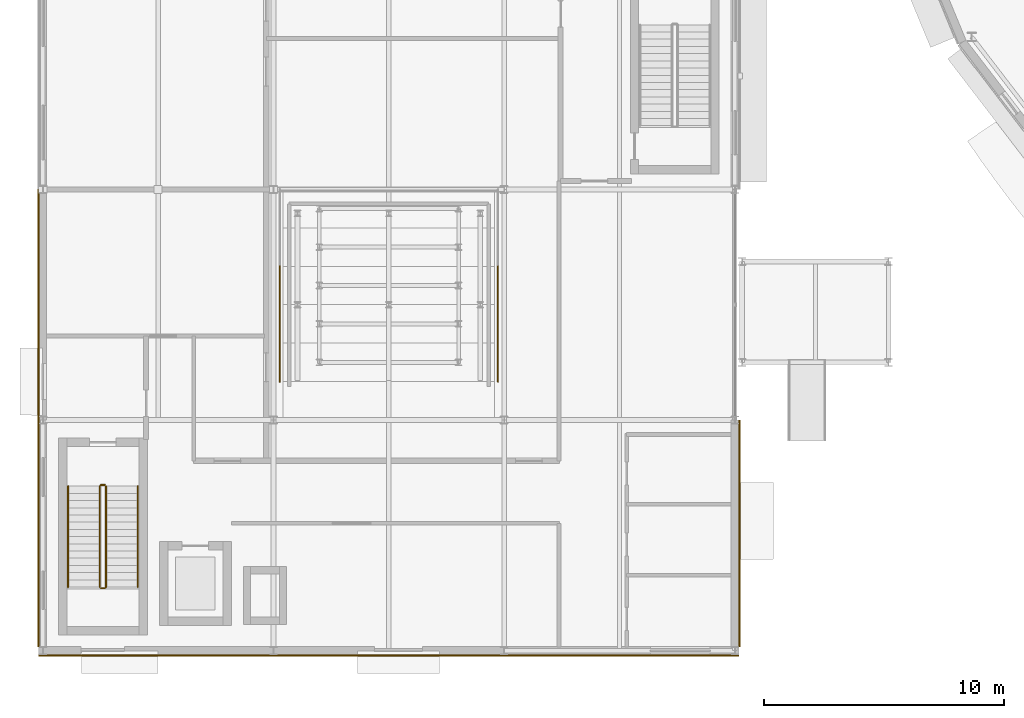
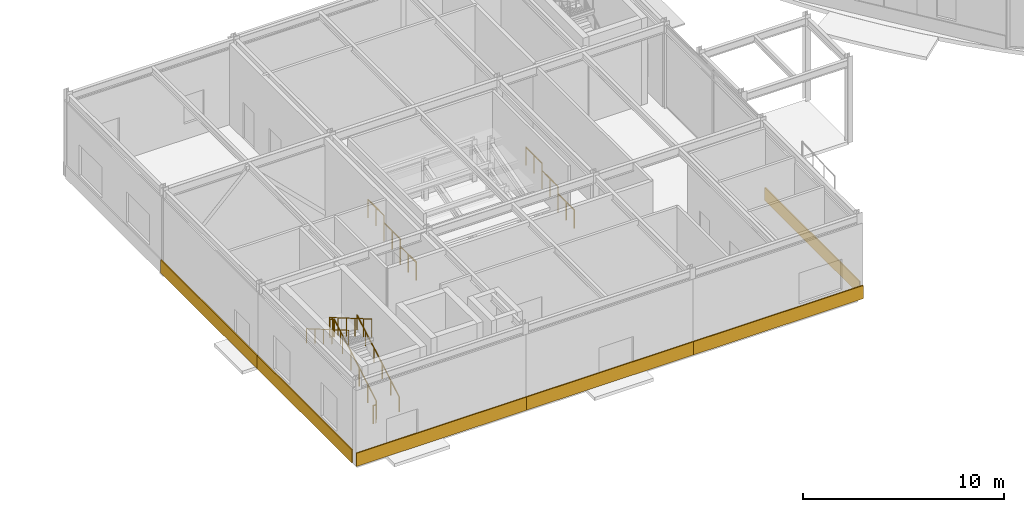
# One storey, part 141 of 168: 12 railings, 6 coverings.
"""IFC4 building model written with IfcOpenShell, lengths in metres."""

import ifcopenshell
import ifcopenshell.guid

model = None  # the IFC model being written
_history = None  # IfcOwnerHistory: only IFC2X3 demands one
_inside = {}  # id of a spatial element -> (the spatial element, [elements in it])
_under = {}  # id of a project, library or spatial element -> (it, [spatial elements below it])
_declared = {}  # id of a project -> (the project, [libraries it declares])
_typed = {}  # id of a type object -> (the type object, [elements of that type])
_made_of = {}  # id of a material, layer set ... -> (it, [elements and type objects made of it])


def new_model(schema):
    """Start an empty IFC model of exactly this schema.

    Asked for "IFC4X3", IfcOpenShell would pick the latest addendum, in which some entities
    have other attributes; the version numbers below select the first issue.
    IFC2X3 requires an IfcOwnerHistory on every rooted entity: one is made here for all.
    """
    global model, _history
    if schema == "IFC4X3":
        model = ifcopenshell.file(schema_version=(4, 3, 0, 0))
    else:
        model = ifcopenshell.file(schema=schema)
    _inside.clear()
    _under.clear()
    _declared.clear()
    _typed.clear()
    _made_of.clear()
    _history = None
    if model.schema == "IFC2X3":
        org = make("IfcOrganization", Name="unknown")
        user = make(
            "IfcPersonAndOrganization",
            ThePerson=make("IfcPerson", FamilyName="unknown"),
            TheOrganization=org,
        )
        app = make(
            "IfcApplication",
            ApplicationDeveloper=org,
            Version="unknown",
            ApplicationFullName="unknown",
            ApplicationIdentifier="unknown",
        )
        _history = make(
            "IfcOwnerHistory",
            OwningUser=user,
            OwningApplication=app,
            ChangeAction="ADDED",
            CreationDate=0,
        )
    return model


def make(cls, **values):
    """One entity of the class cls with the attributes given. An attribute that is None is left unset."""
    return model.create_entity(
        cls, **{name: value for name, value in values.items() if value is not None}
    )


def rooted(cls, **values):
    """An entity with a GlobalId (a new one), such as an element, a storey or a relation."""
    return make(cls, GlobalId=ifcopenshell.guid.new(), OwnerHistory=_history, **values)


def si_unit(unit_type, name, prefix=None):
    """IfcSIUnit, for example si_unit("LENGTHUNIT", "METRE", prefix="MILLI")."""
    return make("IfcSIUnit", UnitType=unit_type, Prefix=prefix, Name=name)


def assignment(units):
    """IfcUnitAssignment: the units of a project."""
    return None if units is None else make("IfcUnitAssignment", Units=units)


def point(xyz):
    """IfcCartesianPoint."""
    return None if xyz is None else make("IfcCartesianPoint", Coordinates=xyz)


def direction(xyz):
    """IfcDirection."""
    return None if xyz is None else make("IfcDirection", DirectionRatios=xyz)


def frame(location, z_axis=None, x_axis=None):
    """IfcAxis2Placement3D, a coordinate frame: its origin and axes. An axis left out is left unset."""
    return make(
        "IfcAxis2Placement3D",
        Location=point(location),
        Axis=direction(z_axis),
        RefDirection=direction(x_axis),
    )


def frame_2d(location, x_axis=None):
    """IfcAxis2Placement2D, a coordinate frame in the plane: its origin and x axis."""
    return make(
        "IfcAxis2Placement2D", Location=point(location), RefDirection=direction(x_axis)
    )


def origin():
    """The frame at (0, 0, 0) with its axes left unset."""
    return frame((0.0, 0.0, 0.0))


def origin_2d():
    """The frame at (0, 0) in the plane with its x axis left unset."""
    return frame_2d((0.0, 0.0))


def place(relative_to, where):
    """IfcLocalPlacement: puts the frame where relative to a parent placement (None: the world)."""
    return make(
        "IfcLocalPlacement", PlacementRelTo=relative_to, RelativePlacement=where
    )


def context(
    kind, dimensions, precision=None, world=None, true_north=None, identifier=None
):
    """IfcGeometricRepresentationContext, for example the 3D "Model" context."""
    return make(
        "IfcGeometricRepresentationContext",
        ContextIdentifier=identifier,
        ContextType=kind,
        CoordinateSpaceDimension=dimensions,
        Precision=precision,
        WorldCoordinateSystem=world,
        TrueNorth=true_north,
    )


def subcontext(parent, identifier, kind, view, scale=None):
    """IfcGeometricRepresentationSubContext, for example "Body" below "Model"."""
    return make(
        "IfcGeometricRepresentationSubContext",
        ContextIdentifier=identifier,
        ContextType=kind,
        ParentContext=parent,
        TargetScale=scale,
        TargetView=view,
    )


def project(units=None, contexts=None):
    """IfcProject with its units and contexts."""
    return rooted(
        "IfcProject",
        Name="project",
        RepresentationContexts=contexts,
        UnitsInContext=assignment(units),
    )


def spatial(cls, under=None, at=None, **own):
    """A site, building, storey or space (cls), placed at a placement, below another one or the project."""
    s = rooted(cls, ObjectPlacement=at, **own)
    if under is not None:
        _under.setdefault(under.id(), (under, []))[1].append(s)
    return s


def profile(cls, at=None, kind="AREA", **sizes):
    """A parametric profile (cls). Its sizes go by their IFC names, for example OverallWidth=200.0."""
    return make(cls, ProfileType=kind, Position=at, **sizes)


def rectangle(**sizes):
    """IfcRectangleProfileDef."""
    return profile("IfcRectangleProfileDef", **sizes)


def circle(**sizes):
    """IfcCircleProfileDef."""
    return profile("IfcCircleProfileDef", **sizes)


def extrude(swept, where, along, depth):
    """IfcExtrudedAreaSolid: the profile swept, set in the frame where, extruded along a direction by depth."""
    return make(
        "IfcExtrudedAreaSolid",
        SweptArea=swept,
        Position=where,
        ExtrudedDirection=direction(along),
        Depth=depth,
    )


def shape(context_of_items, identifier, shape_type, items):
    """IfcShapeRepresentation: the items that make up one representation, for example the "Body"."""
    return make(
        "IfcShapeRepresentation",
        ContextOfItems=context_of_items,
        RepresentationIdentifier=identifier,
        RepresentationType=shape_type,
        Items=items,
    )


def material(Name=None, Category=None):
    """IfcMaterial."""
    return make("IfcMaterial", Name=Name, Category=Category)


def layer(
    of_material, thickness, ventilated=None, Name=None, Category=None, Priority=None
):
    """IfcMaterialLayer: one layer of a wall or slab, of a material (None: an air gap)."""
    return make(
        "IfcMaterialLayer",
        Material=of_material,
        LayerThickness=thickness,
        IsVentilated=ventilated,
        Name=Name,
        Category=Category,
        Priority=Priority,
    )


def layer_set(layers, Name=None):
    """IfcMaterialLayerSet."""
    return make("IfcMaterialLayerSet", MaterialLayers=layers, LayerSetName=Name)


def made_of(thing, what):
    """Note that an element or type object is made of a material, layer set ...; save() writes the relation."""
    if what is not None:
        _made_of.setdefault(what.id(), (what, []))[1].append(thing)
    return thing


def type_object(cls, material=None, **own):
    """A type object (cls), such as IfcWallType, which elements share."""
    return made_of(rooted(cls, **own), material)


def element(
    cls,
    number,
    at=None,
    inside=None,
    cuts=None,
    type_object=None,
    material=None,
    context=None,
    identifier="Body",
    shape_type=None,
    held_by="IfcProductDefinitionShape",
    body=None,
    shapes=None,
    **own,
):
    """One element of the class cls, such as IfcWall. Its Tag is "e" and its number.

    at: its placement. inside: the storey or other place that contains it. cuts: it is an
    opening in that element (IfcRelVoidsElement). A single representation is given by context,
    identifier, shape_type and body (its items); several are given by shapes. held_by: the class
    of the entity that holds the representations. save() writes the other relations.
    """
    e = rooted(cls, Tag="e%d" % number, ObjectPlacement=at, **own)
    if body is not None:
        shapes = [shape(context, identifier, shape_type, body)]
    if shapes is not None:
        e.Representation = make(held_by, Representations=shapes)
    if inside is not None:
        _inside.setdefault(inside.id(), (inside, []))[1].append(e)
    if cuts is not None:
        rooted(
            "IfcRelVoidsElement", RelatingBuildingElement=cuts, RelatedOpeningElement=e
        )
    if type_object is not None:
        _typed.setdefault(type_object.id(), (type_object, []))[1].append(e)
    return made_of(e, material)


def aggregate(whole, parts):
    """IfcRelAggregates: a whole, such as a stair, and the parts it consists of."""
    return rooted("IfcRelAggregates", RelatingObject=whole, RelatedObjects=parts)


def save(model, path):
    """Write the relations noted so far, then the file.

    IfcRelAggregates (storeys below a building ...), IfcRelContainedInSpatialStructure (elements
    in a storey), IfcRelDefinesByType, IfcRelAssociatesMaterial and IfcRelDeclares: one each for
    every whole, place, type object, material and project.
    """
    for whole, parts in _under.values():
        aggregate(whole, parts)
    for where, things in _inside.values():
        rooted(
            "IfcRelContainedInSpatialStructure",
            RelatedElements=things,
            RelatingStructure=where,
        )
    for kind, things in _typed.values():
        rooted("IfcRelDefinesByType", RelatedObjects=things, RelatingType=kind)
    for what, things in _made_of.values():
        rooted("IfcRelAssociatesMaterial", RelatedObjects=things, RelatingMaterial=what)
    for by, libraries in _declared.values():
        rooted("IfcRelDeclares", RelatingContext=by, RelatedDefinitions=libraries)
    model.write(path)


model = new_model("IFC4")

# Units and contexts
model_context = context("Model", 3, precision=1e-05, world=origin(), true_north=direction((0.0, 1.0)))
body_context = subcontext(model_context, "Body", "Model", "MODEL_VIEW")
ifc_project = project(units=[si_unit("LENGTHUNIT", "METRE"), si_unit("AREAUNIT", "SQUARE_METRE"), si_unit("VOLUMEUNIT", "CUBIC_METRE"), si_unit("PLANEANGLEUNIT", "RADIAN"), si_unit("MASSUNIT", "GRAM", prefix="KILO")], contexts=[model_context])

# Site, building, storey
site_placement = place(None, origin())
site = spatial("IfcSite", under=ifc_project, at=site_placement, CompositionType="ELEMENT")
building_placement = place(site_placement, origin())
building = spatial("IfcBuilding", under=site, at=building_placement, Name="Almandine Court Research Institute", CompositionType="ELEMENT")
storey_placement = place(building_placement, origin())
storey = spatial("IfcBuildingStorey", under=building, at=storey_placement, Name="L00", CompositionType="ELEMENT", Elevation=0.0)

# Coverings
ifc_material_1 = material(Name="Honed Andean Red-Buff Sandstone Cladding", Category="masonry")
ifc_layer = layer(ifc_material_1, 0.06494140625)
ifc_layer_set = layer_set([ifc_layer], Name="Honed Andean Red-Buff Sandstone Cladding")
covering_type = type_object("IfcCoveringType", Name="Cov-CLAD-SAND", PredefinedType="CLADDING", material=ifc_layer_set)
covering_1_placement = place(storey_placement, frame((5.81396484375, 10.876953125, 0.02001953125), z_axis=(0.0, 0.0, 1.0), x_axis=(0.0, 1.0, 0.0)))
element("IfcCovering", 1, at=covering_1_placement, inside=storey, type_object=covering_type, Name="L00 Facade Spandrel Cladding Band 1", PredefinedType="CLADDING", context=body_context, shape_type="SweptSolid", body=[
    extrude(rectangle(XDim=9.43701171875, YDim=0.06494140625, at=origin_2d()), origin(), (0.0, 0.0, 1.0), 0.800048828125),
])
covering_2_placement = place(storey_placement, frame((5.81396484375, 20.39990234375, 0.02001953125), z_axis=(0.0, 0.0, 1.0), x_axis=(0.0, 1.0, 0.0)))
element("IfcCovering", 2, at=covering_2_placement, inside=storey, type_object=covering_type, Name="L00 Facade Spandrel Cladding Band 2", PredefinedType="CLADDING", context=body_context, shape_type="SweptSolid", body=[
    extrude(rectangle(XDim=9.592041015625, YDim=0.06494140625, at=origin_2d()), origin(), (0.0, 0.0, 1.0), 0.800048828125),
])
covering_3_placement = place(storey_placement, frame((35.0, 10.885009765625, 0.02001953125), z_axis=(0.0, 0.0, 1.0), x_axis=(0.0, -1.0, 0.0)))
element("IfcCovering", 3, at=covering_3_placement, inside=storey, type_object=covering_type, Name="L00 Facade Spandrel Cladding Band 7", PredefinedType="CLADDING", context=body_context, shape_type="SweptSolid", body=[
    extrude(rectangle(XDim=9.422119140625, YDim=0.06494140625, at=origin_2d()), origin(), (0.0, 0.0, 1.0), 0.800048828125),
])
covering_4_placement = place(storey_placement, frame((10.712890625, 5.800048828125, 0.02001953125), z_axis=(0.0, 0.0, 1.0), x_axis=(-1.0, 0.0, 0.0)))
element("IfcCovering", 4, at=covering_4_placement, inside=storey, type_object=covering_type, Name="L00 Facade Spandrel Cladding Band 9", PredefinedType="CLADDING", context=body_context, shape_type="SweptSolid", body=[
    extrude(rectangle(XDim=9.76611328125, YDim=0.06494140625, at=origin_2d()), origin(), (0.0, 0.0, 1.0), 0.800048828125),
])
covering_5_placement = place(storey_placement, frame((20.39990234375, 5.800048828125, 0.02001953125), z_axis=(0.0, 0.0, 1.0), x_axis=(-1.0, 0.0, 0.0)))
element("IfcCovering", 5, at=covering_5_placement, inside=storey, type_object=covering_type, Name="L00 Facade Spandrel Cladding Band 10", PredefinedType="CLADDING", context=body_context, shape_type="SweptSolid", body=[
    extrude(rectangle(XDim=9.592041015625, YDim=0.06494140625, at=origin_2d()), origin(), (0.0, 0.0, 1.0), 0.800048828125),
])
covering_6_placement = place(storey_placement, frame((30.0869140625, 5.800048828125, 0.02001953125), z_axis=(0.0, 0.0, 1.0), x_axis=(-1.0, 0.0, 0.0)))
element("IfcCovering", 6, at=covering_6_placement, inside=storey, type_object=covering_type, Name="L00 Facade Spandrel Cladding Band 11", PredefinedType="CLADDING", context=body_context, shape_type="SweptSolid", body=[
    extrude(rectangle(XDim=9.76611328125, YDim=0.06494140625, at=origin_2d()), origin(), (0.0, 0.0, 1.0), 0.800048828125),
])

# Railings
ifc_material_2 = material(Name="Powder-Coated Steel Stair and Atrium Balustrade", Category="steel")
railing_type_1 = type_object("IfcRailingType", Name="Rail-GUARD-INT", PredefinedType="BALUSTRADE", material=ifc_material_2)
railing_1_placement = place(storey_placement, frame((8.6298828125, 8.64990234375, 0.175048828125)))
element("IfcRailing", 7, at=railing_1_placement, inside=storey, type_object=railing_type_1, Name="L00 ST-01 stair guard 1", PredefinedType="BALUSTRADE", context=body_context, shape_type="SweptSolid", body=[
    extrude(circle(Radius=0.02392578125, at=origin_2d()), frame((0.0, 0.0, 1.09619140625), z_axis=(0.0, 0.863793468915, 0.503846050951), x_axis=(-1.0, 0.0, 0.0)), (0.0, 0.0, 1.0), 4.862548828125),
    extrude(circle(Radius=0.02099609375, at=origin_2d()), origin(), (0.0, 0.0, 1.0), 1.072021484375),
    extrude(circle(Radius=0.02099609375, at=origin_2d()), frame((0.0, 0.840087890625, 0.489990234375)), (0.0, 0.0, 1.0), 1.072021484375),
    extrude(circle(Radius=0.02099609375, at=origin_2d()), frame((0.0, 1.68017578125, 0.97998046875)), (0.0, 0.0, 1.0), 1.072021484375),
    extrude(circle(Radius=0.02099609375, at=origin_2d()), frame((0.0, 2.52001953125, 1.469970703125)), (0.0, 0.0, 1.0), 1.072021484375),
    extrude(circle(Radius=0.02099609375, at=origin_2d()), frame((0.0, 3.360107421875, 1.9599609375)), (0.0, 0.0, 1.0), 1.072021484375),
    extrude(circle(Radius=0.02099609375, at=origin_2d()), frame((0.0, 4.2001953125, 2.449951171875)), (0.0, 0.0, 1.0), 1.072021484375),
])
railing_2_placement = place(storey_placement, frame((8.580078125, 12.89990234375, 2.625)))
element("IfcRailing", 8, at=railing_2_placement, inside=storey, type_object=railing_type_1, Name="L00 ST-01 stair guard 2", PredefinedType="BALUSTRADE", context=body_context, shape_type="SweptSolid", body=[
    extrude(circle(Radius=0.02392578125, at=origin_2d()), frame((0.0, 0.0, 1.09619140625), z_axis=(-1.0, 0.0, 0.0), x_axis=(0.0, -1.0, 0.0)), (0.0, 0.0, 1.0), 0.16015625),
    extrude(circle(Radius=0.02099609375, at=origin_2d()), origin(), (0.0, 0.0, 1.0), 1.072021484375),
    extrude(circle(Radius=0.02099609375, at=origin_2d()), frame((-0.16015625, 0.0, 0.0)), (0.0, 0.0, 1.0), 1.072021484375),
])
railing_3_placement = place(storey_placement, frame((8.3701171875, 12.85009765625, 2.800048828125)))
element("IfcRailing", 9, at=railing_3_placement, inside=storey, type_object=railing_type_1, Name="L00 ST-01 stair guard 3", PredefinedType="BALUSTRADE", context=body_context, shape_type="SweptSolid", body=[
    extrude(circle(Radius=0.02392578125, at=origin_2d()), frame((0.0, 0.0, 1.09619140625), z_axis=(0.0, -0.863793468915, 0.503846050951), x_axis=(1.0, 0.0, 0.0)), (0.0, 0.0, 1.0), 4.862548828125),
    extrude(circle(Radius=0.02099609375, at=origin_2d()), origin(), (0.0, 0.0, 1.0), 1.072021484375),
    extrude(circle(Radius=0.02099609375, at=origin_2d()), frame((0.0, -0.840087890625, 0.489990234375)), (0.0, 0.0, 1.0), 1.072021484375),
    extrude(circle(Radius=0.02099609375, at=origin_2d()), frame((0.0, -1.68017578125, 0.97998046875)), (0.0, 0.0, 1.0), 1.072021484375),
    extrude(circle(Radius=0.02099609375, at=origin_2d()), frame((0.0, -2.52001953125, 1.469970703125)), (0.0, 0.0, 1.0), 1.072021484375),
    extrude(circle(Radius=0.02099609375, at=origin_2d()), frame((0.0, -3.360107421875, 1.9599609375)), (0.0, 0.0, 1.0), 1.072021484375),
    extrude(circle(Radius=0.02099609375, at=origin_2d()), frame((0.0, -4.2001953125, 2.449951171875)), (0.0, 0.0, 1.0), 1.072021484375),
])
railing_4_placement = place(storey_placement, frame((8.580078125, 8.60009765625, 0.0)))
element("IfcRailing", 10, at=railing_4_placement, inside=storey, type_object=railing_type_1, Name="L00 ST-01 stair guard 4", PredefinedType="BALUSTRADE", context=body_context, shape_type="SweptSolid", body=[
    extrude(circle(Radius=0.02392578125, at=origin_2d()), frame((0.0, 0.0, 1.09619140625), z_axis=(-1.0, 0.0, 0.0), x_axis=(0.0, -1.0, 0.0)), (0.0, 0.0, 1.0), 0.16015625),
    extrude(circle(Radius=0.02099609375, at=origin_2d()), origin(), (0.0, 0.0, 1.0), 1.072021484375),
    extrude(circle(Radius=0.02099609375, at=origin_2d()), frame((-0.16015625, 0.0, 0.0)), (0.0, 0.0, 1.0), 1.072021484375),
])
for number, where, name in (
    (11, (15.860107421875, 17.199951171875, 0.89990234375), "L00 Lecture Tier 2 West Guard"),
    (12, (24.93994140625, 17.199951171875, 0.89990234375), "L00 Lecture Tier 2 East Guard"),
):
    element("IfcRailing", number, at=place(storey_placement, frame(where)), inside=storey, type_object=railing_type_1, Name=name, PredefinedType="BALUSTRADE", context=body_context, shape_type="SweptSolid", body=[
        extrude(circle(Radius=0.02392578125, at=origin_2d()), frame((0.0, 0.0, 1.09619140625), z_axis=(0.0, 1.0, 0.0), x_axis=(-1.0, 0.0, 0.0)), (0.0, 0.0, 1.0), 1.60009765625),
        extrude(circle(Radius=0.02099609375, at=origin_2d()), origin(), (0.0, 0.0, 1.0), 1.072021484375),
        extrude(circle(Radius=0.02099609375, at=origin_2d()), frame((0.0, 0.800048828125, 0.0)), (0.0, 0.0, 1.0), 1.072021484375),
        extrude(circle(Radius=0.02099609375, at=origin_2d()), frame((0.0, 1.60009765625, 0.0)), (0.0, 0.0, 1.0), 1.072021484375),
    ])
for number, where, name in (
    (13, (15.860107421875, 18.800048828125, 1.35009765625), "L00 Lecture Tier 3 West Guard"),
    (14, (24.93994140625, 18.800048828125, 1.35009765625), "L00 Lecture Tier 3 East Guard"),
):
    element("IfcRailing", number, at=place(storey_placement, frame(where)), inside=storey, type_object=railing_type_1, Name=name, PredefinedType="BALUSTRADE", context=body_context, shape_type="SweptSolid", body=[
        extrude(circle(Radius=0.02392578125, at=origin_2d()), frame((0.0, 0.0, 1.09619140625), z_axis=(0.0, 1.0, 0.0), x_axis=(-1.0, 0.0, 0.0)), (0.0, 0.0, 1.0), 1.599853515625),
        extrude(circle(Radius=0.02099609375, at=origin_2d()), origin(), (0.0, 0.0, 1.0), 1.072021484375),
        extrude(circle(Radius=0.02099609375, at=origin_2d()), frame((0.0, 0.7998046875, 0.0)), (0.0, 0.0, 1.0), 1.072021484375),
        extrude(circle(Radius=0.02099609375, at=origin_2d()), frame((0.0, 1.599853515625, 0.0)), (0.0, 0.0, 1.0), 1.072021484375),
    ])
for number, where, name in (
    (15, (15.860107421875, 20.39990234375, 1.800048828125), "L00 Lecture Tier 4 West Guard"),
    (16, (24.93994140625, 20.39990234375, 1.800048828125), "L00 Lecture Tier 4 East Guard"),
):
    element("IfcRailing", number, at=place(storey_placement, frame(where)), inside=storey, type_object=railing_type_1, Name=name, PredefinedType="BALUSTRADE", context=body_context, shape_type="SweptSolid", body=[
        extrude(circle(Radius=0.02392578125, at=origin_2d()), frame((0.0, 0.0, 1.09619140625), z_axis=(0.0, 1.0, 0.0), x_axis=(-1.0, 0.0, 0.0)), (0.0, 0.0, 1.0), 1.60009765625),
        extrude(circle(Radius=0.02099609375, at=origin_2d()), origin(), (0.0, 0.0, 1.0), 1.072021484375),
        extrude(circle(Radius=0.02099609375, at=origin_2d()), frame((0.0, 0.800048828125, 0.0)), (0.0, 0.0, 1.0), 1.072021484375),
        extrude(circle(Radius=0.02099609375, at=origin_2d()), frame((0.0, 1.60009765625, 0.0)), (0.0, 0.0, 1.0), 1.072021484375),
    ])
ifc_material_3 = material(Name="Brushed Stainless Steel Wall Handrail", Category="steel")
railing_type_2 = type_object("IfcRailingType", Name="Rail-HAND-INT", PredefinedType="HANDRAIL", material=ifc_material_3)
railing_5_placement = place(storey_placement, frame((9.949951171875, 8.64990234375, 0.175048828125)))
element("IfcRailing", 17, at=railing_5_placement, inside=storey, type_object=railing_type_2, Name="L00 ST-01 stair handrail 1", PredefinedType="HANDRAIL", context=body_context, shape_type="SweptSolid", body=[
    extrude(circle(Radius=0.02392578125, at=origin_2d()), frame((0.0, 0.0, 0.8759765625), z_axis=(0.0, 0.863793468915, 0.503846050951), x_axis=(-1.0, 0.0, 0.0)), (0.0, 0.0, 1.0), 4.862548828125),
    extrude(circle(Radius=0.02099609375, at=origin_2d()), origin(), (0.0, 0.0, 1.0), 0.851806640625),
    extrude(circle(Radius=0.02099609375, at=origin_2d()), frame((0.0, 0.840087890625, 0.489990234375)), (0.0, 0.0, 1.0), 0.851806640625),
    extrude(circle(Radius=0.02099609375, at=origin_2d()), frame((0.0, 1.68017578125, 0.97998046875)), (0.0, 0.0, 1.0), 0.851806640625),
    extrude(circle(Radius=0.02099609375, at=origin_2d()), frame((0.0, 2.52001953125, 1.469970703125)), (0.0, 0.0, 1.0), 0.851806640625),
    extrude(circle(Radius=0.02099609375, at=origin_2d()), frame((0.0, 3.360107421875, 1.9599609375)), (0.0, 0.0, 1.0), 0.851806640625),
    extrude(circle(Radius=0.02099609375, at=origin_2d()), frame((0.0, 4.2001953125, 2.449951171875)), (0.0, 0.0, 1.0), 0.851806640625),
])
railing_6_placement = place(storey_placement, frame((7.050048828125, 12.85009765625, 2.800048828125)))
element("IfcRailing", 18, at=railing_6_placement, inside=storey, type_object=railing_type_2, Name="L00 ST-01 stair handrail 2", PredefinedType="HANDRAIL", context=body_context, shape_type="SweptSolid", body=[
    extrude(circle(Radius=0.02392578125, at=origin_2d()), frame((0.0, 0.0, 0.8759765625), z_axis=(0.0, -0.863793468915, 0.503846050951), x_axis=(1.0, 0.0, 0.0)), (0.0, 0.0, 1.0), 4.862548828125),
    extrude(circle(Radius=0.02099609375, at=origin_2d()), origin(), (0.0, 0.0, 1.0), 0.851806640625),
    extrude(circle(Radius=0.02099609375, at=origin_2d()), frame((0.0, -0.840087890625, 0.489990234375)), (0.0, 0.0, 1.0), 0.851806640625),
    extrude(circle(Radius=0.02099609375, at=origin_2d()), frame((0.0, -1.68017578125, 0.97998046875)), (0.0, 0.0, 1.0), 0.851806640625),
    extrude(circle(Radius=0.02099609375, at=origin_2d()), frame((0.0, -2.52001953125, 1.469970703125)), (0.0, 0.0, 1.0), 0.851806640625),
    extrude(circle(Radius=0.02099609375, at=origin_2d()), frame((0.0, -3.360107421875, 1.9599609375)), (0.0, 0.0, 1.0), 0.851806640625),
    extrude(circle(Radius=0.02099609375, at=origin_2d()), frame((0.0, -4.2001953125, 2.449951171875)), (0.0, 0.0, 1.0), 0.851806640625),
])

save(model, "model.ifc")
